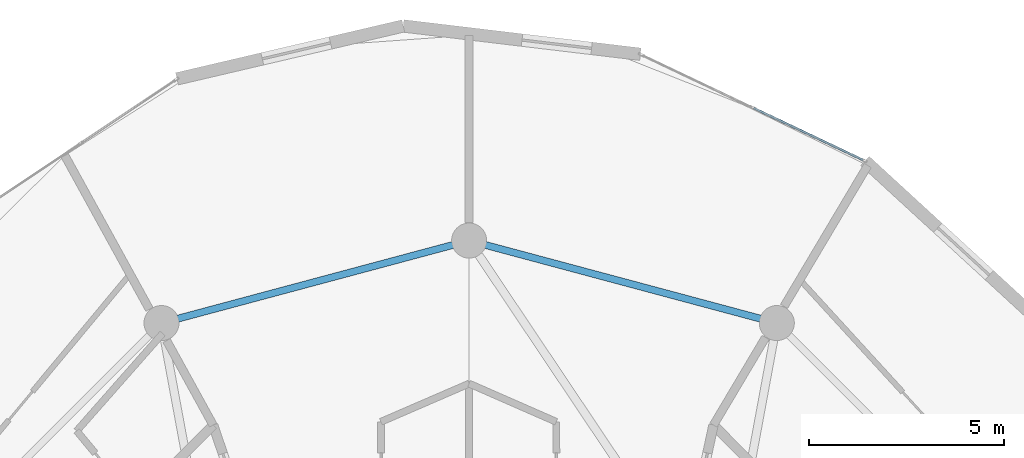
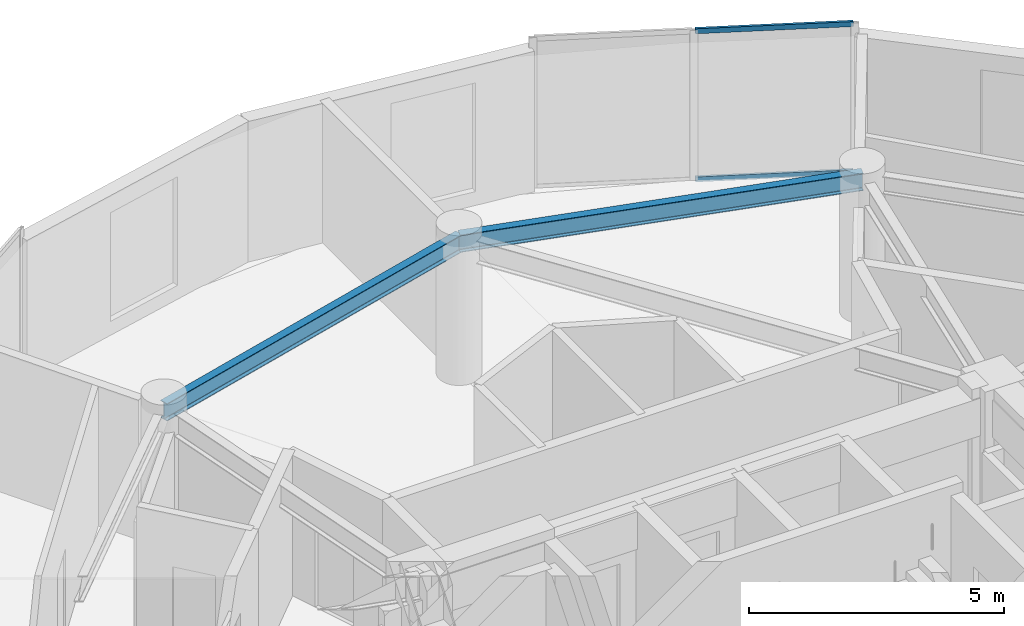
# One storey, part 12 of 20: 2 beams, 2 members, 1 element without a shape of its own.
"""IFC4 building model written with IfcOpenShell, lengths in metres."""

from ifc_helpers import new_model, si_unit, direction, frame, origin, origin_2d, place, context, subcontext, project, spatial, hollow_rectangle, i_section, extrude, source, transform, mapped, material, layer, layer_set, material_profile, profile_set, type_object, element, aggregate, save


model = new_model("IFC4")

# Units and contexts
model_context = context("Model", 3, precision=1e-05, world=origin(), true_north=direction((0.0, 1.0)))
body_context = subcontext(model_context, "Body", "Model", "MODEL_VIEW")
ifc_project = project(units=[si_unit("LENGTHUNIT", "METRE"), si_unit("AREAUNIT", "SQUARE_METRE"), si_unit("VOLUMEUNIT", "CUBIC_METRE"), si_unit("PLANEANGLEUNIT", "RADIAN"), si_unit("MASSUNIT", "GRAM", prefix="KILO")], contexts=[model_context])

# Site, building, storey
site_placement = place(None, origin())
site = spatial("IfcSite", under=ifc_project, at=site_placement, CompositionType="ELEMENT")
building_placement = place(site_placement, origin())
building = spatial("IfcBuilding", under=site, at=building_placement, Name="Solvirekh Grand Hotel", CompositionType="ELEMENT")
storey_placement = place(building_placement, frame((0.0, 0.0, 209.199951171875)))
storey = spatial("IfcBuildingStorey", under=building, at=storey_placement, Name="L54", CompositionType="ELEMENT", Elevation=209.199951171875)

# Beams
ifc_material_1 = material(Name="Steel S355", Category="steel")
ifc_material_profile_1 = material_profile(ifc_material_1, i_section(OverallWidth=0.180908203125, OverallDepth=0.4169921875, WebThickness=0.010009765625, FlangeThickness=0.01611328125, FilletRadius=0.011962890625, at=origin_2d()), Name="W410X85")
ifc_profile_set_1 = profile_set([ifc_material_profile_1], Name="Steel S355")
beam_type = type_object("IfcBeamType", Name="Spandrel_Ring_W410", PredefinedType="SPANDREL", material=ifc_profile_set_1)
for number, where, z_axis, x_axis, name in (
    (1, (7.89990234375, 13.68310546875, 3.152099609375), (-0.965920601923, 0.258838541915, 0.0), (-0.258838541915, -0.965920601923, 0.0), "L54 perimeter spandrel beam 3"),
    (2, (0.0, 15.800048828125, 3.152099609375), (-0.965920601923, -0.258838541915, 0.0), (0.258838541915, -0.965920601923, 0.0), "L54 perimeter spandrel beam 4"),
):
    element("IfcBeam", number, at=place(storey_placement, frame(where, z_axis=z_axis, x_axis=x_axis)), inside=storey, type_object=beam_type, Name=name, PredefinedType="SPANDREL", context=body_context, shape_type="SweptSolid", body=[
        extrude(i_section(OverallWidth=0.180908203125, OverallDepth=0.4169921875, WebThickness=0.010009765625, FlangeThickness=0.01611328125, FilletRadius=0.011962890625, at=origin_2d()), origin(), (0.0, 0.0, 1.0), 8.1787109375),
    ])

# Curtain wall, members
ifc_material_2 = material(Name="Anodized Bronze Aluminium 6063-T6", Category="aluminium")
ifc_layer = layer(ifc_material_2, 0.159912109375)
ifc_layer_set = layer_set([ifc_layer], Name="Anodized Bronze Aluminium 6063-T6")
curtain_wall_type = type_object("IfcCurtainWallType", Name="CW_Sys4_HighZoneFlushBronzeCW", PredefinedType="NOTDEFINED", material=ifc_layer_set)
curtain_wall_placement = place(storey_placement, origin())
curtain_wall = element("IfcCurtainWall", 3, at=curtain_wall_placement, inside=storey, type_object=curtain_wall_type, Name="L54 unitised bronze-glass curtain wall CW-L54-C08", PredefinedType="NOTDEFINED")
ifc_material_profile_2 = material_profile(ifc_material_2, hollow_rectangle(XDim=0.054931640625, YDim=0.1201171875, WallThickness=0.00390625, at=origin_2d()), Name="ALU RHS 120X55X4")
ifc_profile_set_2 = profile_set([ifc_material_profile_2], Name="Anodized Bronze Aluminium 6063-T6")
member_type = type_object("IfcMemberType", Name="CWTransom_Sys4", PredefinedType="USERDEFINED", material=ifc_profile_set_2)
shared_shape = source(origin(), body_context, "Body", "SweptSolid", [
    extrude(hollow_rectangle(XDim=0.054931640625, YDim=0.1201171875, WallThickness=0.00390625, at=origin_2d()), origin(), (0.0, 0.0, 1.0), 3.104248046875),
])
member_1_placement = place(storey_placement, frame((10.11279296875, 17.869873046875, 0.027587890625), z_axis=(-0.903152501224, 0.429319880197, 0.0), x_axis=(-0.429319880197, -0.903152501224, 0.0)))
member_1 = element("IfcMember", 4, at=member_1_placement, type_object=member_type, Name="U04 transom 1.1", ObjectType="TRANSOM", PredefinedType="USERDEFINED", context=body_context, shape_type="MappedRepresentation", body=[
    mapped(shared_shape, transform((0.0, 0.0, 0.0), x_axis=(1.0, 0.0, 0.0), y_axis=(0.0, 1.0, 0.0), z_axis=(0.0, 0.0, 1.0), scale=1.0)),
])
member_2_placement = place(storey_placement, frame((10.11279296875, 17.869873046875, 3.572509765625), z_axis=(-0.903152501224, 0.429319880197, 0.0), x_axis=(-0.429319880197, -0.903152501224, 0.0)))
member_2 = element("IfcMember", 5, at=member_2_placement, type_object=member_type, Name="U04 transom 1.2", ObjectType="TRANSOM", PredefinedType="USERDEFINED", context=body_context, shape_type="MappedRepresentation", body=[
    mapped(shared_shape, transform((0.0, 0.0, 0.0), x_axis=(1.0, 0.0, 0.0), y_axis=(0.0, 1.0, 0.0), z_axis=(0.0, 0.0, 1.0), scale=1.0)),
])
aggregate(curtain_wall, [member_1, member_2])

save(model, "model.ifc")
